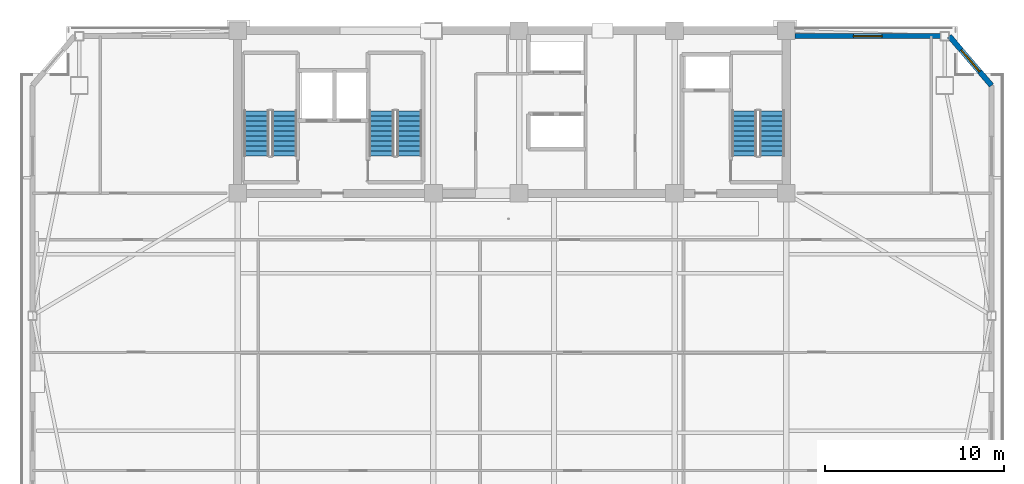
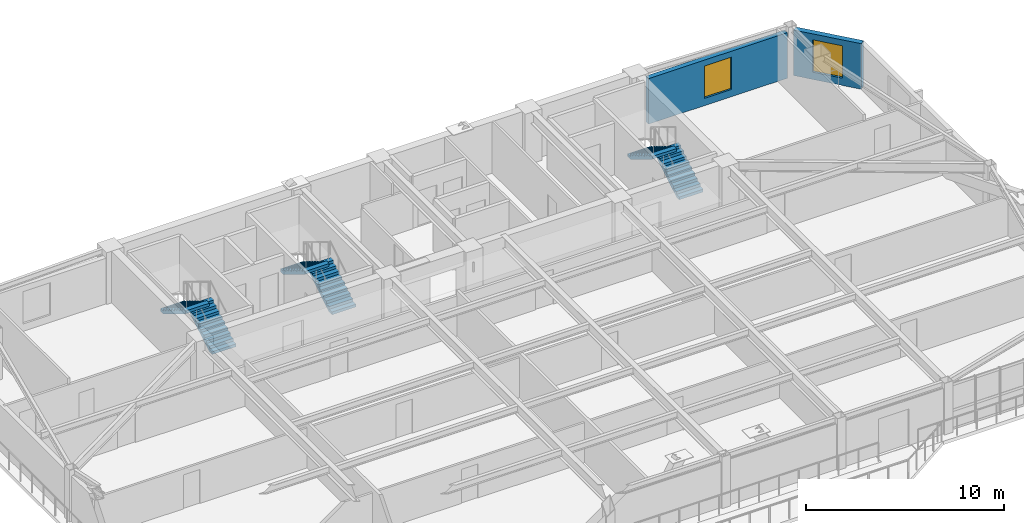
# One storey, part 11 of 17: 6 stair flights, 2 walls, 2 windows, 2 openings, 3 elements without a shape of their own.
"""IFC4 building model written with IfcOpenShell, lengths in metres."""

from ifc_helpers import new_model, si_unit, direction, frame, frame_2d, origin, place, context, subcontext, project, spatial, polyline, rectangle, outline, extrude, source, transform, mapped, material, layer, layer_set, type_object, element, fill, aggregate, save


model = new_model("IFC4")

# Units and contexts
model_context = context("Model", 3, precision=1e-05, world=origin(), true_north=direction((0.0, 1.0)))
body_context = subcontext(model_context, "Body", "Model", "MODEL_VIEW")
ifc_project = project(units=[si_unit("LENGTHUNIT", "METRE"), si_unit("AREAUNIT", "SQUARE_METRE"), si_unit("VOLUMEUNIT", "CUBIC_METRE"), si_unit("PLANEANGLEUNIT", "RADIAN"), si_unit("MASSUNIT", "GRAM", prefix="KILO")], contexts=[model_context])

# Site, building, storey
site_placement = place(None, origin())
site = spatial("IfcSite", under=ifc_project, at=site_placement, CompositionType="ELEMENT")
building_placement = place(site_placement, origin())
building = spatial("IfcBuilding", under=site, at=building_placement, Name="Giltprow Tower", CompositionType="ELEMENT")
storey_placement = place(building_placement, frame((0.0, 0.0, 251.89990234375)))
storey = spatial("IfcBuildingStorey", under=building, at=storey_placement, Name="L64", CompositionType="ELEMENT", Elevation=251.89990234375)

# Wall, opening, window
ifc_material_1 = material(Name="Precast concrete C40", Category="concrete")
ifc_layer_1 = layer(ifc_material_1, 0.300048828125, Name="Precast concrete C40")
ifc_layer_set_1 = layer_set([ifc_layer_1], Name="Precast concrete C40")
wall_type_1 = type_object("IfcWallType", Name="EW-NOTCH-CHAMFER-300", PredefinedType="SOLIDWALL", material=ifc_layer_set_1)
wall_1_placement = place(storey_placement, frame((62.037109375, 43.485107421875, 0.0), z_axis=(0.0, 0.0, 1.0), x_axis=(-0.65001186438, 0.759924059472, 0.0)))
wall_1 = element("IfcWall", 1, at=wall_1_placement, inside=storey, type_object=wall_type_1, Name="L64 Corner Notch Wall NE", PredefinedType="SOLIDWALL", context=body_context, shape_type="SweptSolid", body=[
    extrude(rectangle(XDim=3.638427734375, YDim=0.300048828125, at=frame_2d((1.8193359375, 0.0))), origin(), (0.0, 0.0, 1.0), 2.815185546875),
])
opening_1_placement = place(wall_1_placement, frame((1.01904296875, 0.0, 0.449951171875)))
opening_1 = element("IfcOpeningElement", 2, at=opening_1_placement, cuts=wall_1, Name="Opening WN17", PredefinedType="OPENING", context=body_context, shape_type="SweptSolid", body=[
    extrude(rectangle(XDim=1.60009765625, YDim=2.0, at=frame_2d((0.800048828125, 1.0))), frame((0.0, 0.159912109375, 0.0), z_axis=(0.0, -1.0, 0.0), x_axis=(1.0, 0.0, 0.0)), (0.0, 0.0, 1.0), 0.320068359375),
])
ifc_material_2 = material(Name="Insulated glass", Category="glass")
window_type = type_object("IfcWindowType", Name="WN-COR-1600x2000", PartitioningType="SINGLE_PANEL", PredefinedType="WINDOW", material=ifc_material_2)
shared_shape = source(origin(), body_context, "Body", "SweptSolid", [
    extrude(rectangle(XDim=1.60009765625, YDim=2.0, at=frame_2d((0.800048828125, 1.0))), frame((0.0, 0.030029296875, 0.0), z_axis=(0.0, -1.0, 0.0), x_axis=(1.0, 0.0, 0.0)), (0.0, 0.0, 1.0), 0.06005859375),
])
window_1_placement = place(opening_1_placement, origin())
window_1 = element("IfcWindow", 3, at=window_1_placement, inside=storey, type_object=window_type, Name="L64 Corner Notch Window NE", OverallHeight=2.0, OverallWidth=1.60009765625, PartitioningType="SINGLE_PANEL", PredefinedType="WINDOW", context=body_context, shape_type="MappedRepresentation", body=[
    mapped(shared_shape, transform((0.0, 0.0, 0.0), x_axis=(1.0, 0.0, 0.0), y_axis=(0.0, 1.0, 0.0), z_axis=(0.0, 0.0, 1.0), scale=1.0)),
])
fill(opening_1, window_1)

ifc_layer_2 = layer(ifc_material_1, 0.280029296875, Name="Precast concrete C40")
ifc_layer_set_2 = layer_set([ifc_layer_2], Name="Precast concrete C40")
wall_type_2 = type_object("IfcWallType", Name="EW-TOW-BRONZE-280", PredefinedType="SOLIDWALL", material=ifc_layer_set_2)
wall_2_placement = place(storey_placement, frame((51.050048828125, 46.25, 0.0), z_axis=(0.0, 0.0, 1.0), x_axis=(1.0, 0.0, 0.0)))
wall_2 = element("IfcWall", 4, at=wall_2_placement, inside=storey, type_object=wall_type_2, Name="L64 North-East Wing Wall", PredefinedType="SOLIDWALL", context=body_context, shape_type="SweptSolid", body=[
    extrude(rectangle(XDim=8.1220703125, YDim=0.280029296875, at=frame_2d((4.06103515625, 0.0))), origin(), (0.0, 0.0, 1.0), 2.815185546875),
])
opening_2_placement = place(wall_2_placement, frame((3.260986328125, 0.0, 0.449951171875)))
opening_2 = element("IfcOpeningElement", 5, at=opening_2_placement, cuts=wall_2, Name="Opening WN17", PredefinedType="OPENING", context=body_context, shape_type="SweptSolid", body=[
    extrude(rectangle(XDim=1.60009765625, YDim=2.0, at=frame_2d((0.800048828125, 1.0))), frame((0.0, 0.14990234375, 0.0), z_axis=(0.0, -1.0, 0.0), x_axis=(1.0, 0.0, 0.0)), (0.0, 0.0, 1.0), 0.300048828125),
])
window_2_placement = place(opening_2_placement, origin())
window_2 = element("IfcWindow", 6, at=window_2_placement, inside=storey, type_object=window_type, Name="L64 North-East Window", OverallHeight=2.0, OverallWidth=1.60009765625, PartitioningType="SINGLE_PANEL", PredefinedType="WINDOW", context=body_context, shape_type="MappedRepresentation", body=[
    mapped(shared_shape, transform((0.0, 0.0, 0.0), x_axis=(1.0, 0.0, 0.0), y_axis=(0.0, 1.0, 0.0), z_axis=(0.0, 0.0, 1.0), scale=1.0)),
])
fill(opening_2, window_2)

# Stair, stair flights
ifc_material_3 = material(Name="Concrete C40", Category="concrete")
stair_type_1 = type_object("IfcStairType", Name="STR-ST-1", PredefinedType="HALF_TURN_STAIR", material=ifc_material_3)
stair_1_placement = place(storey_placement, origin())
stair_1 = element("IfcStair", 7, at=stair_1_placement, inside=storey, type_object=stair_type_1, Name="L64 Core Exit Stair ST-1", PredefinedType="HALF_TURN_STAIR")
stair_flight_type_1 = type_object("IfcStairFlightType", Name="SFL-ST-1", PredefinedType="STRAIGHT", material=ifc_material_3)
stair_flight_1_placement = place(storey_placement, frame((22.4599609375, 39.550048828125, 0.0), z_axis=(0.0, 0.0, 1.0), x_axis=(0.0, 1.0, 0.0)))
stair_flight_1 = element("IfcStairFlight", 8, at=stair_flight_1_placement, type_object=stair_flight_type_1, Name="ST-1 flight 1", NumberOfRisers=10, NumberOfTreads=9, PredefinedType="STRAIGHT", RiserHeight=0.17, TreadLength=0.28, context=body_context, shape_type="SweptSolid", body=[
    extrude(outline(polyline([(0.0, 0.0), (0.0, 0.169921875), (0.280029296875, 0.169921875), (0.280029296875, 0.340087890625), (0.56005859375, 0.340087890625), (0.56005859375, 0.510009765625), (0.840087890625, 0.510009765625), (0.840087890625, 0.679931640625), (1.1201171875, 0.679931640625), (1.1201171875, 0.85009765625), (1.39990234375, 0.85009765625), (1.39990234375, 1.02001953125), (1.679931640625, 1.02001953125), (1.679931640625, 1.18994140625), (1.9599609375, 1.18994140625), (1.9599609375, 1.360107421875), (2.239990234375, 1.360107421875), (2.239990234375, 1.530029296875), (2.52001953125, 1.530029296875), (2.52001953125, 1.699951171875), (2.52001953125, 1.354736328125), (0.288818359375, 0.0), (0.0, 0.0)])), frame((0.0, 0.699951171875, 0.0), z_axis=(0.0, -1.0, 0.0), x_axis=(1.0, 0.0, 0.0)), (0.0, 0.0, 1.0), 1.39990234375),
])
stair_flight_2_placement = place(storey_placement, frame((20.89990234375, 42.070068359375, 1.7001953125), z_axis=(0.0, 0.0, 1.0), x_axis=(0.0, -1.0, 0.0)))
stair_flight_2 = element("IfcStairFlight", 9, at=stair_flight_2_placement, type_object=stair_flight_type_1, Name="ST-1 flight 2", NumberOfRisers=10, NumberOfTreads=9, PredefinedType="STRAIGHT", RiserHeight=0.17, TreadLength=0.28, context=body_context, shape_type="SweptSolid", body=[
    extrude(outline(polyline([(0.0, 0.0), (0.0, 0.169921875), (0.280029296875, 0.169921875), (0.280029296875, 0.340087890625), (0.56005859375, 0.340087890625), (0.56005859375, 0.510009765625), (0.840087890625, 0.510009765625), (0.840087890625, 0.679931640625), (1.1201171875, 0.679931640625), (1.1201171875, 0.85009765625), (1.39990234375, 0.85009765625), (1.39990234375, 1.02001953125), (1.679931640625, 1.02001953125), (1.679931640625, 1.18994140625), (1.9599609375, 1.18994140625), (1.9599609375, 1.360107421875), (2.239990234375, 1.360107421875), (2.239990234375, 1.530029296875), (2.52001953125, 1.530029296875), (2.52001953125, 1.699951171875), (2.52001953125, 1.354736328125), (0.288818359375, 0.0), (0.0, 0.0)])), frame((0.0, 0.699951171875, 0.0), z_axis=(0.0, -1.0, 0.0), x_axis=(1.0, 0.0, 0.0)), (0.0, 0.0, 1.0), 1.39990234375),
])
aggregate(stair_1, [stair_flight_1, stair_flight_2])

stair_type_2 = type_object("IfcStairType", Name="STR-ST-2", PredefinedType="HALF_TURN_STAIR", material=ifc_material_3)
stair_2_placement = place(storey_placement, origin())
stair_2 = element("IfcStair", 10, at=stair_2_placement, inside=storey, type_object=stair_type_2, Name="L64 Core Exit Stair ST-2", PredefinedType="HALF_TURN_STAIR")
stair_flight_type_2 = type_object("IfcStairFlightType", Name="SFL-ST-2", PredefinedType="STRAIGHT", material=ifc_material_3)
stair_flight_3_placement = place(storey_placement, frame((29.4599609375, 39.550048828125, 0.0), z_axis=(0.0, 0.0, 1.0), x_axis=(0.0, 1.0, 0.0)))
stair_flight_3 = element("IfcStairFlight", 11, at=stair_flight_3_placement, type_object=stair_flight_type_2, Name="ST-2 flight 1", NumberOfRisers=10, NumberOfTreads=9, PredefinedType="STRAIGHT", RiserHeight=0.17, TreadLength=0.28, context=body_context, shape_type="SweptSolid", body=[
    extrude(outline(polyline([(0.0, 0.0), (0.0, 0.169921875), (0.280029296875, 0.169921875), (0.280029296875, 0.340087890625), (0.56005859375, 0.340087890625), (0.56005859375, 0.510009765625), (0.840087890625, 0.510009765625), (0.840087890625, 0.679931640625), (1.1201171875, 0.679931640625), (1.1201171875, 0.85009765625), (1.39990234375, 0.85009765625), (1.39990234375, 1.02001953125), (1.679931640625, 1.02001953125), (1.679931640625, 1.18994140625), (1.9599609375, 1.18994140625), (1.9599609375, 1.360107421875), (2.239990234375, 1.360107421875), (2.239990234375, 1.530029296875), (2.52001953125, 1.530029296875), (2.52001953125, 1.699951171875), (2.52001953125, 1.354736328125), (0.288818359375, 0.0), (0.0, 0.0)])), frame((0.0, 0.699951171875, 0.0), z_axis=(0.0, -1.0, 0.0), x_axis=(1.0, 0.0, 0.0)), (0.0, 0.0, 1.0), 1.39990234375),
])
stair_flight_4_placement = place(storey_placement, frame((27.89990234375, 42.070068359375, 1.7001953125), z_axis=(0.0, 0.0, 1.0), x_axis=(0.0, -1.0, 0.0)))
stair_flight_4 = element("IfcStairFlight", 12, at=stair_flight_4_placement, type_object=stair_flight_type_2, Name="ST-2 flight 2", NumberOfRisers=10, NumberOfTreads=9, PredefinedType="STRAIGHT", RiserHeight=0.17, TreadLength=0.28, context=body_context, shape_type="SweptSolid", body=[
    extrude(outline(polyline([(0.0, 0.0), (0.0, 0.169921875), (0.280029296875, 0.169921875), (0.280029296875, 0.340087890625), (0.56005859375, 0.340087890625), (0.56005859375, 0.510009765625), (0.840087890625, 0.510009765625), (0.840087890625, 0.679931640625), (1.1201171875, 0.679931640625), (1.1201171875, 0.85009765625), (1.39990234375, 0.85009765625), (1.39990234375, 1.02001953125), (1.679931640625, 1.02001953125), (1.679931640625, 1.18994140625), (1.9599609375, 1.18994140625), (1.9599609375, 1.360107421875), (2.239990234375, 1.360107421875), (2.239990234375, 1.530029296875), (2.52001953125, 1.530029296875), (2.52001953125, 1.699951171875), (2.52001953125, 1.354736328125), (0.288818359375, 0.0), (0.0, 0.0)])), frame((0.0, 0.699951171875, 0.0), z_axis=(0.0, -1.0, 0.0), x_axis=(1.0, 0.0, 0.0)), (0.0, 0.0, 1.0), 1.39990234375),
])
aggregate(stair_2, [stair_flight_3, stair_flight_4])

stair_type_3 = type_object("IfcStairType", Name="STR-ST-3", PredefinedType="HALF_TURN_STAIR", material=ifc_material_3)
stair_3_placement = place(storey_placement, origin())
stair_3 = element("IfcStair", 13, at=stair_3_placement, inside=storey, type_object=stair_type_3, Name="L64 Core Exit Stair ST-3", PredefinedType="HALF_TURN_STAIR")
stair_flight_type_3 = type_object("IfcStairFlightType", Name="SFL-ST-3", PredefinedType="STRAIGHT", material=ifc_material_3)
stair_flight_5_placement = place(storey_placement, frame((49.760009765625, 39.550048828125, 0.0), z_axis=(0.0, 0.0, 1.0), x_axis=(0.0, 1.0, 0.0)))
stair_flight_5 = element("IfcStairFlight", 14, at=stair_flight_5_placement, type_object=stair_flight_type_3, Name="ST-3 flight 1", NumberOfRisers=10, NumberOfTreads=9, PredefinedType="STRAIGHT", RiserHeight=0.17, TreadLength=0.28, context=body_context, shape_type="SweptSolid", body=[
    extrude(outline(polyline([(0.0, 0.0), (0.0, 0.169921875), (0.280029296875, 0.169921875), (0.280029296875, 0.340087890625), (0.56005859375, 0.340087890625), (0.56005859375, 0.510009765625), (0.840087890625, 0.510009765625), (0.840087890625, 0.679931640625), (1.1201171875, 0.679931640625), (1.1201171875, 0.85009765625), (1.39990234375, 0.85009765625), (1.39990234375, 1.02001953125), (1.679931640625, 1.02001953125), (1.679931640625, 1.18994140625), (1.9599609375, 1.18994140625), (1.9599609375, 1.360107421875), (2.239990234375, 1.360107421875), (2.239990234375, 1.530029296875), (2.52001953125, 1.530029296875), (2.52001953125, 1.699951171875), (2.52001953125, 1.354736328125), (0.288818359375, 0.0), (0.0, 0.0)])), frame((0.0, 0.699951171875, 0.0), z_axis=(0.0, -1.0, 0.0), x_axis=(1.0, 0.0, 0.0)), (0.0, 0.0, 1.0), 1.39990234375),
])
stair_flight_6_placement = place(storey_placement, frame((48.199951171875, 42.070068359375, 1.7001953125), z_axis=(0.0, 0.0, 1.0), x_axis=(0.0, -1.0, 0.0)))
stair_flight_6 = element("IfcStairFlight", 15, at=stair_flight_6_placement, type_object=stair_flight_type_3, Name="ST-3 flight 2", NumberOfRisers=10, NumberOfTreads=9, PredefinedType="STRAIGHT", RiserHeight=0.17, TreadLength=0.28, context=body_context, shape_type="SweptSolid", body=[
    extrude(outline(polyline([(0.0, 0.0), (0.0, 0.169921875), (0.280029296875, 0.169921875), (0.280029296875, 0.340087890625), (0.56005859375, 0.340087890625), (0.56005859375, 0.510009765625), (0.840087890625, 0.510009765625), (0.840087890625, 0.679931640625), (1.1201171875, 0.679931640625), (1.1201171875, 0.85009765625), (1.39990234375, 0.85009765625), (1.39990234375, 1.02001953125), (1.679931640625, 1.02001953125), (1.679931640625, 1.18994140625), (1.9599609375, 1.18994140625), (1.9599609375, 1.360107421875), (2.239990234375, 1.360107421875), (2.239990234375, 1.530029296875), (2.52001953125, 1.530029296875), (2.52001953125, 1.699951171875), (2.52001953125, 1.354736328125), (0.288818359375, 0.0), (0.0, 0.0)])), frame((0.0, 0.699951171875, 0.0), z_axis=(0.0, -1.0, 0.0), x_axis=(1.0, 0.0, 0.0)), (0.0, 0.0, 1.0), 1.39990234375),
])
aggregate(stair_3, [stair_flight_5, stair_flight_6])

save(model, "model.ifc")
